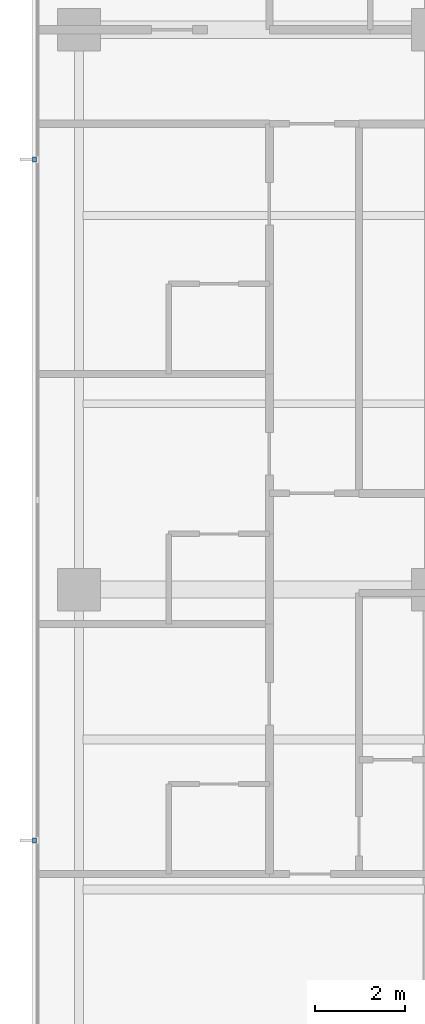
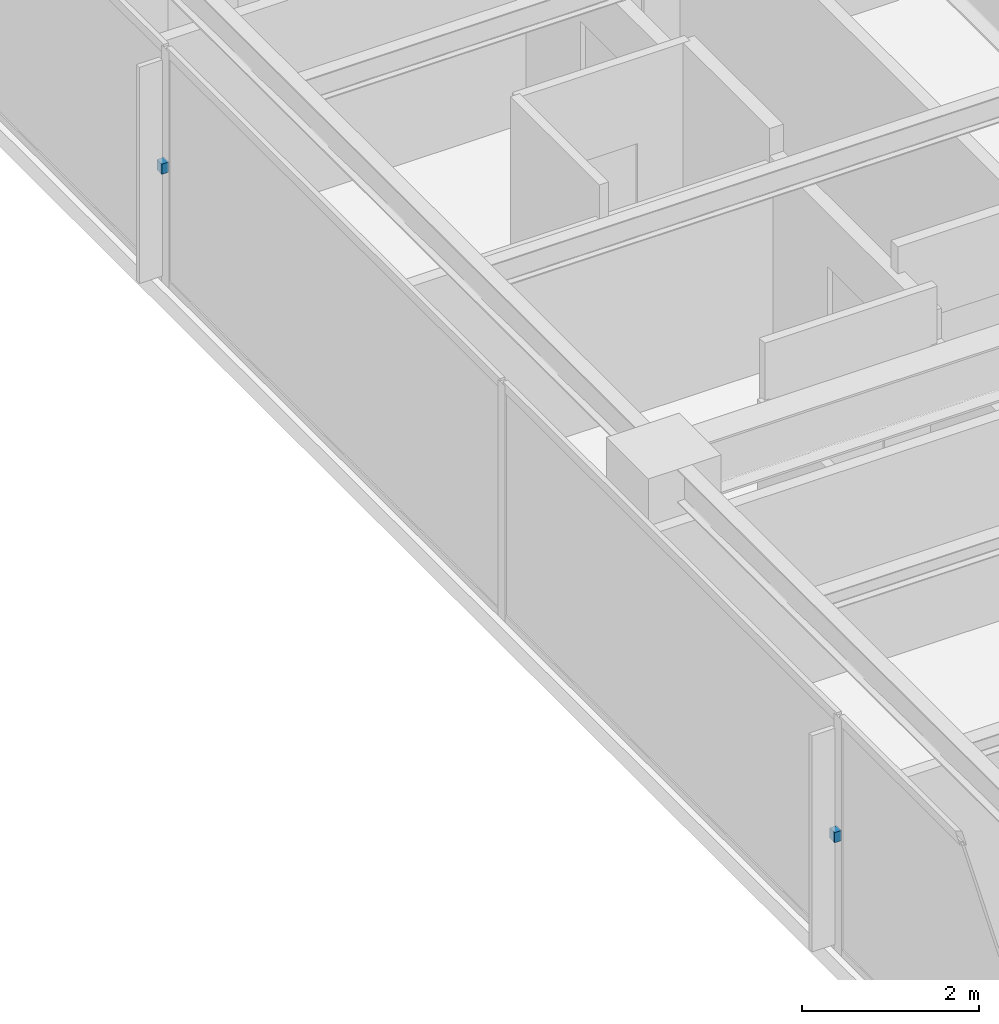
# One storey, part 11 of 15: 2 discrete accessories.
"""IFC4 building model written with IfcOpenShell, lengths in metres."""

import ifcopenshell
import ifcopenshell.guid

model = None  # the IFC model being written
_history = None  # IfcOwnerHistory: only IFC2X3 demands one
_inside = {}  # id of a spatial element -> (the spatial element, [elements in it])
_under = {}  # id of a project, library or spatial element -> (it, [spatial elements below it])
_declared = {}  # id of a project -> (the project, [libraries it declares])
_typed = {}  # id of a type object -> (the type object, [elements of that type])
_made_of = {}  # id of a material, layer set ... -> (it, [elements and type objects made of it])


def new_model(schema):
    """Start an empty IFC model of exactly this schema.

    Asked for "IFC4X3", IfcOpenShell would pick the latest addendum, in which some entities
    have other attributes; the version numbers below select the first issue.
    IFC2X3 requires an IfcOwnerHistory on every rooted entity: one is made here for all.
    """
    global model, _history
    if schema == "IFC4X3":
        model = ifcopenshell.file(schema_version=(4, 3, 0, 0))
    else:
        model = ifcopenshell.file(schema=schema)
    _inside.clear()
    _under.clear()
    _declared.clear()
    _typed.clear()
    _made_of.clear()
    _history = None
    if model.schema == "IFC2X3":
        org = make("IfcOrganization", Name="unknown")
        user = make(
            "IfcPersonAndOrganization",
            ThePerson=make("IfcPerson", FamilyName="unknown"),
            TheOrganization=org,
        )
        app = make(
            "IfcApplication",
            ApplicationDeveloper=org,
            Version="unknown",
            ApplicationFullName="unknown",
            ApplicationIdentifier="unknown",
        )
        _history = make(
            "IfcOwnerHistory",
            OwningUser=user,
            OwningApplication=app,
            ChangeAction="ADDED",
            CreationDate=0,
        )
    return model


def make(cls, **values):
    """One entity of the class cls with the attributes given. An attribute that is None is left unset."""
    return model.create_entity(
        cls, **{name: value for name, value in values.items() if value is not None}
    )


def rooted(cls, **values):
    """An entity with a GlobalId (a new one), such as an element, a storey or a relation."""
    return make(cls, GlobalId=ifcopenshell.guid.new(), OwnerHistory=_history, **values)


def si_unit(unit_type, name, prefix=None):
    """IfcSIUnit, for example si_unit("LENGTHUNIT", "METRE", prefix="MILLI")."""
    return make("IfcSIUnit", UnitType=unit_type, Prefix=prefix, Name=name)


def assignment(units):
    """IfcUnitAssignment: the units of a project."""
    return None if units is None else make("IfcUnitAssignment", Units=units)


def point(xyz):
    """IfcCartesianPoint."""
    return None if xyz is None else make("IfcCartesianPoint", Coordinates=xyz)


def direction(xyz):
    """IfcDirection."""
    return None if xyz is None else make("IfcDirection", DirectionRatios=xyz)


def frame(location, z_axis=None, x_axis=None):
    """IfcAxis2Placement3D, a coordinate frame: its origin and axes. An axis left out is left unset."""
    return make(
        "IfcAxis2Placement3D",
        Location=point(location),
        Axis=direction(z_axis),
        RefDirection=direction(x_axis),
    )


def origin():
    """The frame at (0, 0, 0) with its axes left unset."""
    return frame((0.0, 0.0, 0.0))


def place(relative_to, where):
    """IfcLocalPlacement: puts the frame where relative to a parent placement (None: the world)."""
    return make(
        "IfcLocalPlacement", PlacementRelTo=relative_to, RelativePlacement=where
    )


def context(
    kind, dimensions, precision=None, world=None, true_north=None, identifier=None
):
    """IfcGeometricRepresentationContext, for example the 3D "Model" context."""
    return make(
        "IfcGeometricRepresentationContext",
        ContextIdentifier=identifier,
        ContextType=kind,
        CoordinateSpaceDimension=dimensions,
        Precision=precision,
        WorldCoordinateSystem=world,
        TrueNorth=true_north,
    )


def subcontext(parent, identifier, kind, view, scale=None):
    """IfcGeometricRepresentationSubContext, for example "Body" below "Model"."""
    return make(
        "IfcGeometricRepresentationSubContext",
        ContextIdentifier=identifier,
        ContextType=kind,
        ParentContext=parent,
        TargetScale=scale,
        TargetView=view,
    )


def project(units=None, contexts=None):
    """IfcProject with its units and contexts."""
    return rooted(
        "IfcProject",
        Name="project",
        RepresentationContexts=contexts,
        UnitsInContext=assignment(units),
    )


def spatial(cls, under=None, at=None, **own):
    """A site, building, storey or space (cls), placed at a placement, below another one or the project."""
    s = rooted(cls, ObjectPlacement=at, **own)
    if under is not None:
        _under.setdefault(under.id(), (under, []))[1].append(s)
    return s


def polyline(points):
    """IfcPolyline through the points."""
    return make("IfcPolyline", Points=[point(p) for p in points])


def outline(outer, holes=None, kind="AREA"):
    """IfcArbitraryClosedProfileDef: a profile drawn as a closed curve; with holes, ...WithVoids."""
    if holes is None:
        return make("IfcArbitraryClosedProfileDef", ProfileType=kind, OuterCurve=outer)
    return make(
        "IfcArbitraryProfileDefWithVoids",
        ProfileType=kind,
        OuterCurve=outer,
        InnerCurves=holes,
    )


def extrude(swept, where, along, depth):
    """IfcExtrudedAreaSolid: the profile swept, set in the frame where, extruded along a direction by depth."""
    return make(
        "IfcExtrudedAreaSolid",
        SweptArea=swept,
        Position=where,
        ExtrudedDirection=direction(along),
        Depth=depth,
    )


def shape(context_of_items, identifier, shape_type, items):
    """IfcShapeRepresentation: the items that make up one representation, for example the "Body"."""
    return make(
        "IfcShapeRepresentation",
        ContextOfItems=context_of_items,
        RepresentationIdentifier=identifier,
        RepresentationType=shape_type,
        Items=items,
    )


def material(Name=None, Category=None):
    """IfcMaterial."""
    return make("IfcMaterial", Name=Name, Category=Category)


def made_of(thing, what):
    """Note that an element or type object is made of a material, layer set ...; save() writes the relation."""
    if what is not None:
        _made_of.setdefault(what.id(), (what, []))[1].append(thing)
    return thing


def type_object(cls, material=None, **own):
    """A type object (cls), such as IfcWallType, which elements share."""
    return made_of(rooted(cls, **own), material)


def element(
    cls,
    number,
    at=None,
    inside=None,
    cuts=None,
    type_object=None,
    material=None,
    context=None,
    identifier="Body",
    shape_type=None,
    held_by="IfcProductDefinitionShape",
    body=None,
    shapes=None,
    **own,
):
    """One element of the class cls, such as IfcWall. Its Tag is "e" and its number.

    at: its placement. inside: the storey or other place that contains it. cuts: it is an
    opening in that element (IfcRelVoidsElement). A single representation is given by context,
    identifier, shape_type and body (its items); several are given by shapes. held_by: the class
    of the entity that holds the representations. save() writes the other relations.
    """
    e = rooted(cls, Tag="e%d" % number, ObjectPlacement=at, **own)
    if body is not None:
        shapes = [shape(context, identifier, shape_type, body)]
    if shapes is not None:
        e.Representation = make(held_by, Representations=shapes)
    if inside is not None:
        _inside.setdefault(inside.id(), (inside, []))[1].append(e)
    if cuts is not None:
        rooted(
            "IfcRelVoidsElement", RelatingBuildingElement=cuts, RelatedOpeningElement=e
        )
    if type_object is not None:
        _typed.setdefault(type_object.id(), (type_object, []))[1].append(e)
    return made_of(e, material)


def aggregate(whole, parts):
    """IfcRelAggregates: a whole, such as a stair, and the parts it consists of."""
    return rooted("IfcRelAggregates", RelatingObject=whole, RelatedObjects=parts)


def save(model, path):
    """Write the relations noted so far, then the file.

    IfcRelAggregates (storeys below a building ...), IfcRelContainedInSpatialStructure (elements
    in a storey), IfcRelDefinesByType, IfcRelAssociatesMaterial and IfcRelDeclares: one each for
    every whole, place, type object, material and project.
    """
    for whole, parts in _under.values():
        aggregate(whole, parts)
    for where, things in _inside.values():
        rooted(
            "IfcRelContainedInSpatialStructure",
            RelatedElements=things,
            RelatingStructure=where,
        )
    for kind, things in _typed.values():
        rooted("IfcRelDefinesByType", RelatedObjects=things, RelatingType=kind)
    for what, things in _made_of.values():
        rooted("IfcRelAssociatesMaterial", RelatedObjects=things, RelatingMaterial=what)
    for by, libraries in _declared.values():
        rooted("IfcRelDeclares", RelatingContext=by, RelatedDefinitions=libraries)
    model.write(path)


model = new_model("IFC4")

# Units and contexts
model_context = context("Model", 3, precision=1e-05, world=origin(), true_north=direction((0.0, 1.0)))
body_context = subcontext(model_context, "Body", "Model", "MODEL_VIEW")
ifc_project = project(units=[si_unit("LENGTHUNIT", "METRE"), si_unit("AREAUNIT", "SQUARE_METRE"), si_unit("VOLUMEUNIT", "CUBIC_METRE"), si_unit("PLANEANGLEUNIT", "RADIAN"), si_unit("MASSUNIT", "GRAM", prefix="KILO")], contexts=[model_context])

# Site, building, storey
site_placement = place(None, origin())
site = spatial("IfcSite", under=ifc_project, at=site_placement, CompositionType="ELEMENT")
building_placement = place(site_placement, origin())
building = spatial("IfcBuilding", under=site, at=building_placement, Name="Qalmaran Belvedere Hotel", CompositionType="ELEMENT")
storey_placement = place(building_placement, frame((0.0, 0.0, 203.89990234375)))
storey = spatial("IfcBuildingStorey", under=building, at=storey_placement, Name="L51", CompositionType="ELEMENT", Elevation=203.89990234375)

# Discrete accessories
ifc_material = material(Name="Stainless Steel 1.4401", Category="steel")
discrete_accessory_type = type_object("IfcDiscreteAccessoryType", Name="BRK-FIN-SS316", PredefinedType="BRACKET", material=ifc_material)
discrete_accessory_1_placement = place(storey_placement, frame((0.0, 0.0, 1.580078125)))
element("IfcDiscreteAccessory", 1, at=discrete_accessory_1_placement, inside=storey, type_object=discrete_accessory_type, Name="L51 Fin Bracket 1", PredefinedType="BRACKET", context=body_context, shape_type="SweptSolid", body=[
    extrude(outline(polyline([(11.455078125, 30.155029296875), (11.362548828125, 30.155029296875), (11.362548828125, 30.044921875), (11.455078125, 30.044921875), (11.455078125, 30.155029296875)])), origin(), (0.0, 0.0, 1.0), 0.14013671875),
])
discrete_accessory_2_placement = place(storey_placement, frame((0.0, 0.0, 1.580078125)))
element("IfcDiscreteAccessory", 2, at=discrete_accessory_2_placement, inside=storey, type_object=discrete_accessory_type, Name="L51 Fin Bracket 3", PredefinedType="BRACKET", context=body_context, shape_type="SweptSolid", body=[
    extrude(outline(polyline([(11.455078125, 14.955078125), (11.362548828125, 14.955078125), (11.362548828125, 14.844970703125), (11.455078125, 14.844970703125), (11.455078125, 14.955078125)])), origin(), (0.0, 0.0, 1.0), 0.14013671875),
])

save(model, "model.ifc")
